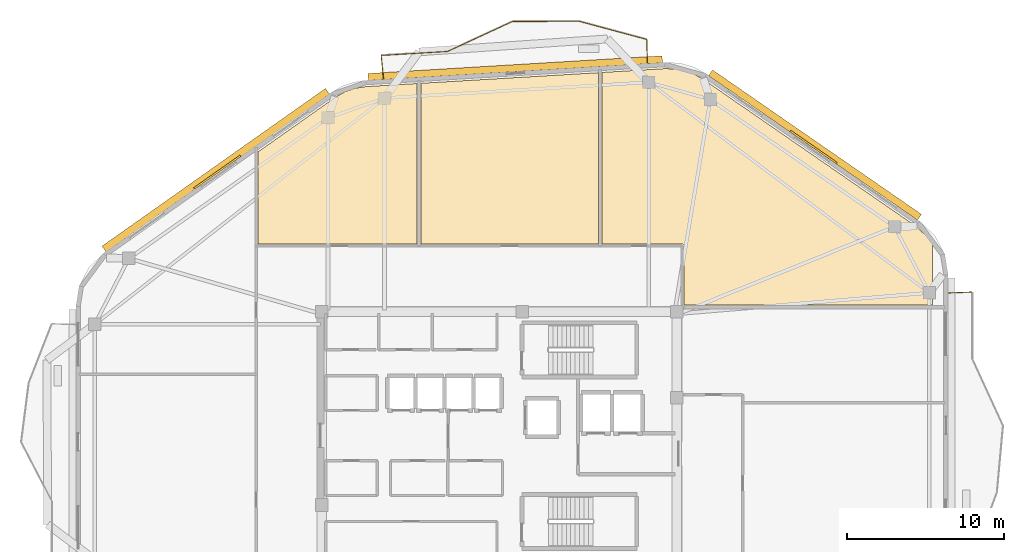
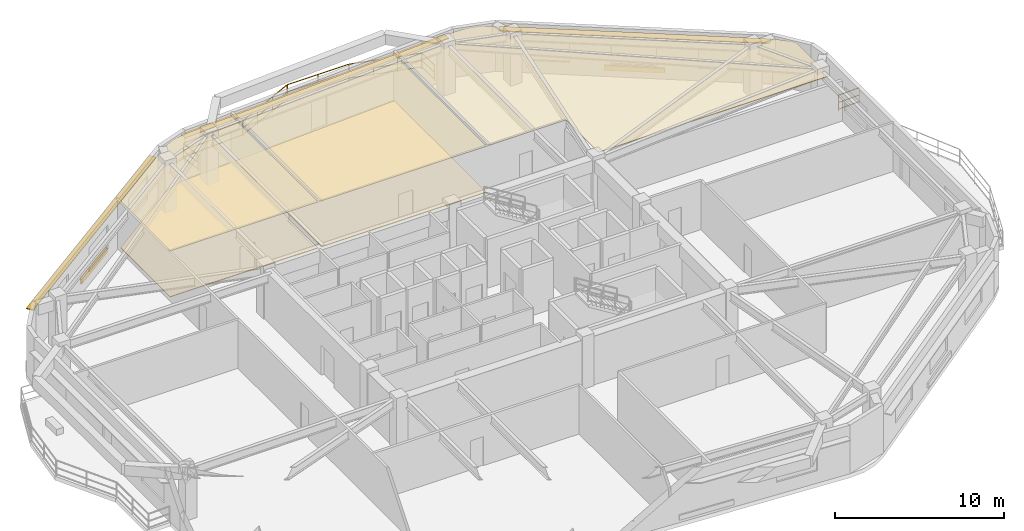
# One storey, part 9 of 9: 7 railings, 5 coverings, 5 shading devices.
"""IFC4 building model written with IfcOpenShell, lengths in metres."""

from ifc_helpers import new_model, si_unit, direction, frame, origin, origin_2d, place, context, subcontext, project, spatial, polyline, rectangle, outline, extrude, material, layer, layer_set, type_object, element, save


model = new_model("IFC4")

# Units and contexts
model_context = context("Model", 3, precision=1e-05, world=origin(), true_north=direction((0.0, 1.0)))
body_context = subcontext(model_context, "Body", "Model", "MODEL_VIEW")
ifc_project = project(units=[si_unit("LENGTHUNIT", "METRE"), si_unit("AREAUNIT", "SQUARE_METRE"), si_unit("VOLUMEUNIT", "CUBIC_METRE"), si_unit("PLANEANGLEUNIT", "RADIAN"), si_unit("MASSUNIT", "GRAM", prefix="KILO")], contexts=[model_context])

# Site, building, storey
site_placement = place(None, origin())
site = spatial("IfcSite", under=ifc_project, at=site_placement, CompositionType="ELEMENT")
building_placement = place(site_placement, origin())
building = spatial("IfcBuilding", under=site, at=building_placement, Name="Zulverin Broadcast Headquarters", CompositionType="ELEMENT")
storey_placement = place(building_placement, frame((0.0, 0.0, 266.800048828125)))
storey = spatial("IfcBuildingStorey", under=building, at=storey_placement, Name="L68", CompositionType="ELEMENT", Elevation=266.800048828125)

# Coverings
ifc_material_1 = material(Name="Perforated pale-metal acoustic baffle ceiling", Category="aluminium")
ifc_layer_1 = layer(ifc_material_1, 0.0400390625, Name="Perforated pale-metal acoustic baffle ceiling", Category="aluminium")
ifc_layer_set_1 = layer_set([ifc_layer_1], Name="Perforated pale-metal acoustic baffle ceiling")
covering_type_1 = type_object("IfcCoveringType", Name="COV-CEIL-ACOU", PredefinedType="CEILING", material=ifc_layer_set_1)
covering_1_placement = place(storey_placement, frame((0.0, 0.0, 3.329833984375)))
element("IfcCovering", 1, at=covering_1_placement, inside=storey, type_object=covering_type_1, Name="L68 Acoustic Baffle Ceiling 01", PredefinedType="CEILING", context=body_context, shape_type="SweptSolid", body=[
    extrude(outline(polyline([(31.780029296875, 37.3720703125), (31.780029296875, 47.568115234375), (28.52392578125, 47.3720703125), (27.827880859375, 47.26806640625), (27.18798828125, 47.0400390625), (26.575927734375, 46.69189453125), (21.66796875, 43.22412109375), (21.66796875, 37.3720703125), (31.780029296875, 37.3720703125)])), origin(), (0.0, 0.0, 1.0), 0.0400390625),
])
covering_2_placement = place(storey_placement, frame((0.0, 0.0, 3.329833984375)))
element("IfcCovering", 2, at=covering_2_placement, inside=storey, type_object=covering_type_1, Name="L68 Acoustic Baffle Ceiling 02", PredefinedType="CEILING", context=body_context, shape_type="SweptSolid", body=[
    extrude(outline(polyline([(43.280029296875, 37.3720703125), (43.280029296875, 48.256103515625), (32.02001953125, 47.583984375), (32.02001953125, 37.3720703125), (43.280029296875, 37.3720703125)])), origin(), (0.0, 0.0, 1.0), 0.0400390625),
])
covering_3_placement = place(storey_placement, frame((0.0, 0.0, 3.329833984375)))
element("IfcCovering", 3, at=covering_3_placement, inside=storey, type_object=covering_type_1, Name="L68 Acoustic Baffle Ceiling 03", PredefinedType="CEILING", context=body_context, shape_type="SweptSolid", body=[
    extrude(outline(polyline([(48.716064453125, 37.27587890625), (48.719970703125, 37.263916015625), (48.719970703125, 37.251953125), (48.719970703125, 33.5), (64.5, 33.5), (64.5, 37.364013671875), (64.35595703125, 37.64404296875), (63.47607421875, 38.488037109375), (49.924072265625, 47.85205078125), (49.18798828125, 48.251953125), (48.39599609375, 48.471923828125), (47.56005859375, 48.51611328125), (43.52001953125, 48.27197265625), (43.52001953125, 37.3720703125), (48.60009765625, 37.3720703125), (48.612060546875, 37.3720703125), (48.6240234375, 37.367919921875), (48.635986328125, 37.367919921875), (48.64404296875, 37.364013671875), (48.656005859375, 37.35595703125), (48.66796875, 37.35205078125), (48.676025390625, 37.343994140625), (48.68408203125, 37.3359375), (48.69189453125, 37.327880859375), (48.699951171875, 37.320068359375), (48.7041015625, 37.30810546875), (48.7119140625, 37.2958984375), (48.716064453125, 37.2880859375), (48.716064453125, 37.27587890625)])), origin(), (0.0, 0.0, 1.0), 0.0400390625),
])
ifc_material_2 = material(Name="Anti-static broadcast raised access flooring", Category="stone")
ifc_layer_2 = layer(ifc_material_2, 0.050048828125, Name="Anti-static broadcast raised access flooring", Category="stone")
ifc_layer_set_2 = layer_set([ifc_layer_2], Name="Anti-static broadcast raised access flooring")
covering_type_2 = type_object("IfcCoveringType", Name="COV-FLR-RAISED", PredefinedType="FLOORING", material=ifc_layer_set_2)
covering_4_placement = place(storey_placement, origin())
element("IfcCovering", 4, at=covering_4_placement, inside=storey, type_object=covering_type_2, Name="L68 Broadcast Raised Access Flooring 01", PredefinedType="FLOORING", context=body_context, shape_type="SweptSolid", body=[
    extrude(outline(polyline([(31.780029296875, 37.3720703125), (31.780029296875, 47.568115234375), (28.52392578125, 47.3720703125), (27.827880859375, 47.26806640625), (27.18798828125, 47.0400390625), (26.575927734375, 46.69189453125), (21.66796875, 43.22412109375), (21.66796875, 37.3720703125), (31.780029296875, 37.3720703125)])), origin(), (0.0, 0.0, 1.0), 0.050048828125),
])
covering_5_placement = place(storey_placement, origin())
element("IfcCovering", 5, at=covering_5_placement, inside=storey, type_object=covering_type_2, Name="L68 Broadcast Raised Access Flooring 02", PredefinedType="FLOORING", context=body_context, shape_type="SweptSolid", body=[
    extrude(outline(polyline([(43.280029296875, 37.3720703125), (43.280029296875, 48.256103515625), (32.02001953125, 47.583984375), (32.02001953125, 37.3720703125), (43.280029296875, 37.3720703125)])), origin(), (0.0, 0.0, 1.0), 0.050048828125),
])

# Railings
ifc_material_3 = material(Name="Brushed stainless steel & laminated glass balustrade", Category="steel")
railing_type = type_object("IfcRailingType", Name="RL-GUARD-1150", PredefinedType="GUARDRAIL", material=ifc_material_3)
railing_1_placement = place(storey_placement, frame((67.0048828125, 34.3251953125, 0.0)))
element("IfcRailing", 6, at=railing_1_placement, inside=storey, type_object=railing_type, Name="L68 Vertical-Forest Balcony Guardrail BAL_E Segment 06", PredefinedType="GUARDRAIL", context=body_context, shape_type="SweptSolid", body=[
    extrude(rectangle(XDim=0.048095703125, YDim=0.048095703125, at=origin_2d()), frame((0.0, 0.0, 1.1259765625), z_axis=(-0.999174135318, -0.040633081503, 0.0), x_axis=(0.040633081503, -0.999174135318, 0.0)), (0.0, 0.0, 1.0), 1.466064453125),
    extrude(rectangle(XDim=0.0419921875, YDim=0.0419921875, at=origin_2d()), frame((0.0, 0.0, 0.597900390625), z_axis=(-0.999174135318, -0.040633081503, 0.0), x_axis=(0.040633081503, -0.999174135318, 0.0)), (0.0, 0.0, 1.0), 1.466064453125),
    extrude(rectangle(XDim=0.0419921875, YDim=0.0419921875, at=origin_2d()), frame((0.0, 0.0, 0.1201171875), z_axis=(-0.999174135318, -0.040633081503, 0.0), x_axis=(0.040633081503, -0.999174135318, 0.0)), (0.0, 0.0, 1.0), 1.466064453125),
    extrude(rectangle(XDim=0.0419921875, YDim=0.0419921875, at=origin_2d()), origin(), (0.0, 0.0, 1.0), 1.101806640625),
    extrude(rectangle(XDim=0.0419921875, YDim=0.0419921875, at=origin_2d()), frame((-1.46484375, -0.0595703125, 0.0)), (0.0, 0.0, 1.0), 1.101806640625),
])
railing_2_placement = place(storey_placement, frame((46.397216796875, 48.885498046875, 0.0)))
element("IfcRailing", 7, at=railing_2_placement, inside=storey, type_object=railing_type, Name="L68 Vertical-Forest Balcony Guardrail BAL_N Segment 01", PredefinedType="GUARDRAIL", context=body_context, shape_type="SweptSolid", body=[
    extrude(rectangle(XDim=0.048095703125, YDim=0.048095703125, at=origin_2d()), frame((0.0, 0.0, 1.1259765625), z_axis=(-0.019480066399, 0.999810245503, 0.0), x_axis=(-0.999810245503, -0.019480066399, 0.0)), (0.0, 0.0, 1.0), 1.46630859375),
    extrude(rectangle(XDim=0.0419921875, YDim=0.0419921875, at=origin_2d()), frame((0.0, 0.0, 0.597900390625), z_axis=(-0.019480066399, 0.999810245503, 0.0), x_axis=(-0.999810245503, -0.019480066399, 0.0)), (0.0, 0.0, 1.0), 1.46630859375),
    extrude(rectangle(XDim=0.0419921875, YDim=0.0419921875, at=origin_2d()), frame((0.0, 0.0, 0.1201171875), z_axis=(-0.019480066399, 0.999810245503, 0.0), x_axis=(-0.999810245503, -0.019480066399, 0.0)), (0.0, 0.0, 1.0), 1.46630859375),
    extrude(rectangle(XDim=0.0419921875, YDim=0.0419921875, at=origin_2d()), origin(), (0.0, 0.0, 1.0), 1.101806640625),
    extrude(rectangle(XDim=0.0419921875, YDim=0.0419921875, at=origin_2d()), frame((-0.028564453125, 1.466064453125, 0.0)), (0.0, 0.0, 1.0), 1.101806640625),
])
railing_3_placement = place(storey_placement, frame((46.353759765625, 50.370361328125, 0.0)))
element("IfcRailing", 8, at=railing_3_placement, inside=storey, type_object=railing_type, Name="L68 Vertical-Forest Balcony Guardrail BAL_N Segment 02", PredefinedType="GUARDRAIL", context=body_context, shape_type="SweptSolid", body=[
    extrude(rectangle(XDim=0.048095703125, YDim=0.048095703125, at=origin_2d()), frame((0.0, 0.0, 1.1259765625), z_axis=(-0.965758297957, 0.25944346191, 0.0), x_axis=(-0.25944346191, -0.965758297957, 0.0)), (0.0, 0.0, 1.0), 4.427490234375),
    extrude(rectangle(XDim=0.0419921875, YDim=0.0419921875, at=origin_2d()), frame((0.0, 0.0, 0.597900390625), z_axis=(-0.965758297957, 0.25944346191, 0.0), x_axis=(-0.25944346191, -0.965758297957, 0.0)), (0.0, 0.0, 1.0), 4.427490234375),
    extrude(rectangle(XDim=0.0419921875, YDim=0.0419921875, at=origin_2d()), frame((0.0, 0.0, 0.1201171875), z_axis=(-0.965758297957, 0.25944346191, 0.0), x_axis=(-0.25944346191, -0.965758297957, 0.0)), (0.0, 0.0, 1.0), 4.427490234375),
    extrude(rectangle(XDim=0.0419921875, YDim=0.0419921875, at=origin_2d()), origin(), (0.0, 0.0, 1.0), 1.101806640625),
    extrude(rectangle(XDim=0.0419921875, YDim=0.0419921875, at=origin_2d()), frame((-1.42529296875, 0.3828125, 0.0)), (0.0, 0.0, 1.0), 1.101806640625),
    extrude(rectangle(XDim=0.0419921875, YDim=0.0419921875, at=origin_2d()), frame((-2.8505859375, 0.765869140625, 0.0)), (0.0, 0.0, 1.0), 1.101806640625),
    extrude(rectangle(XDim=0.0419921875, YDim=0.0419921875, at=origin_2d()), frame((-4.27587890625, 1.148681640625, 0.0)), (0.0, 0.0, 1.0), 1.101806640625),
])
railing_4_placement = place(storey_placement, frame((42.048583984375, 51.52294921875, 0.0)))
element("IfcRailing", 9, at=railing_4_placement, inside=storey, type_object=railing_type, Name="L68 Vertical-Forest Balcony Guardrail BAL_N Segment 03", PredefinedType="GUARDRAIL", context=body_context, shape_type="SweptSolid", body=[
    extrude(rectangle(XDim=0.048095703125, YDim=0.048095703125, at=origin_2d()), frame((0.0, 0.0, 1.1259765625), z_axis=(-0.999993308399, -0.003658299659, 0.0), x_axis=(0.003658299659, -0.999993308399, 0.0)), (0.0, 0.0, 1.0), 4.204345703125),
    extrude(rectangle(XDim=0.0419921875, YDim=0.0419921875, at=origin_2d()), frame((0.0, 0.0, 0.597900390625), z_axis=(-0.999993308399, -0.003658299659, 0.0), x_axis=(0.003658299659, -0.999993308399, 0.0)), (0.0, 0.0, 1.0), 4.204345703125),
    extrude(rectangle(XDim=0.0419921875, YDim=0.0419921875, at=origin_2d()), frame((0.0, 0.0, 0.1201171875), z_axis=(-0.999993308399, -0.003658299659, 0.0), x_axis=(0.003658299659, -0.999993308399, 0.0)), (0.0, 0.0, 1.0), 4.204345703125),
    extrude(rectangle(XDim=0.0419921875, YDim=0.0419921875, at=origin_2d()), origin(), (0.0, 0.0, 1.0), 1.101806640625),
    extrude(rectangle(XDim=0.0419921875, YDim=0.0419921875, at=origin_2d()), frame((-2.10205078125, -0.0078125, 0.0)), (0.0, 0.0, 1.0), 1.101806640625),
    extrude(rectangle(XDim=0.0419921875, YDim=0.0419921875, at=origin_2d()), frame((-4.204345703125, -0.015380859375, 0.0)), (0.0, 0.0, 1.0), 1.101806640625),
])
railing_5_placement = place(storey_placement, frame((37.815673828125, 51.501220703125, 0.0)))
element("IfcRailing", 10, at=railing_5_placement, inside=storey, type_object=railing_type, Name="L68 Vertical-Forest Balcony Guardrail BAL_N Segment 04", PredefinedType="GUARDRAIL", context=body_context, shape_type="SweptSolid", body=[
    extrude(rectangle(XDim=0.048095703125, YDim=0.048095703125, at=origin_2d()), frame((0.0, 0.0, 1.1259765625), z_axis=(-0.908052870887, -0.418855564214, 0.0), x_axis=(0.418855564214, -0.908052870887, 0.0)), (0.0, 0.0, 1.0), 4.508544921875),
    extrude(rectangle(XDim=0.0419921875, YDim=0.0419921875, at=origin_2d()), frame((0.0, 0.0, 0.597900390625), z_axis=(-0.908052870887, -0.418855564214, 0.0), x_axis=(0.418855564214, -0.908052870887, 0.0)), (0.0, 0.0, 1.0), 4.508544921875),
    extrude(rectangle(XDim=0.0419921875, YDim=0.0419921875, at=origin_2d()), frame((0.0, 0.0, 0.1201171875), z_axis=(-0.908052870887, -0.418855564214, 0.0), x_axis=(0.418855564214, -0.908052870887, 0.0)), (0.0, 0.0, 1.0), 4.508544921875),
    extrude(rectangle(XDim=0.0419921875, YDim=0.0419921875, at=origin_2d()), origin(), (0.0, 0.0, 1.0), 1.101806640625),
    extrude(rectangle(XDim=0.0419921875, YDim=0.0419921875, at=origin_2d()), frame((-1.36474609375, -0.62939453125, 0.0)), (0.0, 0.0, 1.0), 1.101806640625),
    extrude(rectangle(XDim=0.0419921875, YDim=0.0419921875, at=origin_2d()), frame((-2.729248046875, -1.259033203125, 0.0)), (0.0, 0.0, 1.0), 1.101806640625),
    extrude(rectangle(XDim=0.0419921875, YDim=0.0419921875, at=origin_2d()), frame((-4.093994140625, -1.888427734375, 0.0)), (0.0, 0.0, 1.0), 1.101806640625),
])
railing_6_placement = place(storey_placement, frame((33.693115234375, 49.60546875, 0.0)))
element("IfcRailing", 11, at=railing_6_placement, inside=storey, type_object=railing_type, Name="L68 Vertical-Forest Balcony Guardrail BAL_N Segment 05", PredefinedType="GUARDRAIL", context=body_context, shape_type="SweptSolid", body=[
    extrude(rectangle(XDim=0.048095703125, YDim=0.048095703125, at=origin_2d()), frame((0.0, 0.0, 1.1259765625), z_axis=(-0.998204080423, -0.059905040077, 0.0), x_axis=(0.059905040077, -0.998204080423, 0.0)), (0.0, 0.0, 1.0), 4.19775390625),
    extrude(rectangle(XDim=0.0419921875, YDim=0.0419921875, at=origin_2d()), frame((0.0, 0.0, 0.597900390625), z_axis=(-0.998204080423, -0.059905040077, 0.0), x_axis=(0.059905040077, -0.998204080423, 0.0)), (0.0, 0.0, 1.0), 4.19775390625),
    extrude(rectangle(XDim=0.0419921875, YDim=0.0419921875, at=origin_2d()), frame((0.0, 0.0, 0.1201171875), z_axis=(-0.998204080423, -0.059905040077, 0.0), x_axis=(0.059905040077, -0.998204080423, 0.0)), (0.0, 0.0, 1.0), 4.19775390625),
    extrude(rectangle(XDim=0.0419921875, YDim=0.0419921875, at=origin_2d()), origin(), (0.0, 0.0, 1.0), 1.101806640625),
    extrude(rectangle(XDim=0.0419921875, YDim=0.0419921875, at=origin_2d()), frame((-2.09521484375, -0.125732421875, 0.0)), (0.0, 0.0, 1.0), 1.101806640625),
    extrude(rectangle(XDim=0.0419921875, YDim=0.0419921875, at=origin_2d()), frame((-4.190185546875, -0.25146484375, 0.0)), (0.0, 0.0, 1.0), 1.101806640625),
])
railing_7_placement = place(storey_placement, frame((29.489501953125, 49.338134765625, 0.0)))
element("IfcRailing", 12, at=railing_7_placement, inside=storey, type_object=railing_type, Name="L68 Vertical-Forest Balcony Guardrail BAL_N Segment 06", PredefinedType="GUARDRAIL", context=body_context, shape_type="SweptSolid", body=[
    extrude(rectangle(XDim=0.048095703125, YDim=0.048095703125, at=origin_2d()), frame((0.0, 0.0, 1.1259765625), z_axis=(0.100245616419, -0.994962721105, 0.0), x_axis=(0.994962721105, 0.100245616419, 0.0)), (0.0, 0.0, 1.0), 1.466064453125),
    extrude(rectangle(XDim=0.0419921875, YDim=0.0419921875, at=origin_2d()), frame((0.0, 0.0, 0.597900390625), z_axis=(0.100245616419, -0.994962721105, 0.0), x_axis=(0.994962721105, 0.100245616419, 0.0)), (0.0, 0.0, 1.0), 1.466064453125),
    extrude(rectangle(XDim=0.0419921875, YDim=0.0419921875, at=origin_2d()), frame((0.0, 0.0, 0.1201171875), z_axis=(0.100245616419, -0.994962721105, 0.0), x_axis=(0.994962721105, 0.100245616419, 0.0)), (0.0, 0.0, 1.0), 1.466064453125),
    extrude(rectangle(XDim=0.0419921875, YDim=0.0419921875, at=origin_2d()), origin(), (0.0, 0.0, 1.0), 1.101806640625),
    extrude(rectangle(XDim=0.0419921875, YDim=0.0419921875, at=origin_2d()), frame((0.14697265625, -1.458740234375, 0.0)), (0.0, 0.0, 1.0), 1.101806640625),
])

# Shading devices
ifc_material_4 = material(Name="Anodized pale-metal aluminium acoustic louvre", Category="aluminium")
shading_device_type_1 = type_object("IfcShadingDeviceType", Name="SHD-LOUVRE-350", PredefinedType="USERDEFINED", material=ifc_material_4)
for number, where, z_axis, x_axis, name in (
    (13, (56.955322265625, 43.52978515625, 0.244873046875), (0.0, 0.0, 1.0), (-0.822655402653, 0.568540313861, 0.0), "L68 Spandrel Intake Louvre 4"),
    (14, (19.076171875, 41.933837890625, 0.244873046875), (0.0, 0.0, 1.0), (-0.817023146348, -0.576604871929, 0.0), "L68 Spandrel Intake Louvre 6"),
):
    element("IfcShadingDevice", number, at=place(storey_placement, frame(where, z_axis=z_axis, x_axis=x_axis)), inside=storey, type_object=shading_device_type_1, Name=name, ObjectType="LOUVRE", PredefinedType="USERDEFINED", context=body_context, shape_type="SweptSolid", body=[
        extrude(rectangle(XDim=3.60009765625, YDim=0.1201171875, at=origin_2d()), origin(), (0.0, 0.0, 1.0), 0.35009765625),
    ])
ifc_material_5 = material(Name="Anodized pale-metal aluminium sunshade", Category="aluminium")
ifc_layer_3 = layer(ifc_material_5, 0.06005859375, Name="Anodized pale-metal aluminium sunshade", Category="aluminium")
ifc_layer_set_3 = layer_set([ifc_layer_3], Name="Anodized pale-metal aluminium sunshade")
shading_device_type_2 = type_object("IfcShadingDeviceType", Name="SS-01_PALE_METAL_ALUMINIUM_SUNSHADE", PredefinedType="USERDEFINED", material=ifc_layer_set_3)
shading_device_1_placement = place(storey_placement, frame((57.04638671875, 43.66162109375, 2.7099609375), z_axis=(0.0, 0.0, 1.0), x_axis=(-0.822655402653, 0.568540313861, 0.0)))
element("IfcShadingDevice", 15, at=shading_device_1_placement, inside=storey, type_object=shading_device_type_2, Name="L68 Horizontal Pale-Metal Sunshade Band 4", ObjectType="SUNSHADE", PredefinedType="USERDEFINED", context=body_context, shape_type="SweptSolid", body=[
    extrude(rectangle(XDim=16.1279296875, YDim=0.449951171875, at=origin_2d()), origin(), (0.0, 0.0, 1.0), 0.06005859375),
])
shading_device_2_placement = place(storey_placement, frame((38.007080078125, 48.542236328125, 2.7099609375), z_axis=(0.0, 0.0, 1.0), x_axis=(-0.99820257679, -0.059930090026, 0.0)))
element("IfcShadingDevice", 16, at=shading_device_2_placement, inside=storey, type_object=shading_device_type_2, Name="L68 Horizontal Pale-Metal Sunshade Band 5", ObjectType="SUNSHADE", PredefinedType="USERDEFINED", context=body_context, shape_type="SweptSolid", body=[
    extrude(rectangle(XDim=18.710693359375, YDim=0.449951171875, at=origin_2d()), origin(), (0.0, 0.0, 1.0), 0.06005859375),
])
shading_device_3_placement = place(storey_placement, frame((18.98388671875, 42.064453125, 2.7099609375), z_axis=(0.0, 0.0, 1.0), x_axis=(-0.817023146348, -0.576604871929, 0.0)))
element("IfcShadingDevice", 17, at=shading_device_3_placement, inside=storey, type_object=shading_device_type_2, Name="L68 Horizontal Pale-Metal Sunshade Band 6", ObjectType="SUNSHADE", PredefinedType="USERDEFINED", context=body_context, shape_type="SweptSolid", body=[
    extrude(rectangle(XDim=17.3798828125, YDim=0.449951171875, at=origin_2d()), origin(), (0.0, 0.0, 1.0), 0.06005859375),
])

save(model, "model.ifc")
